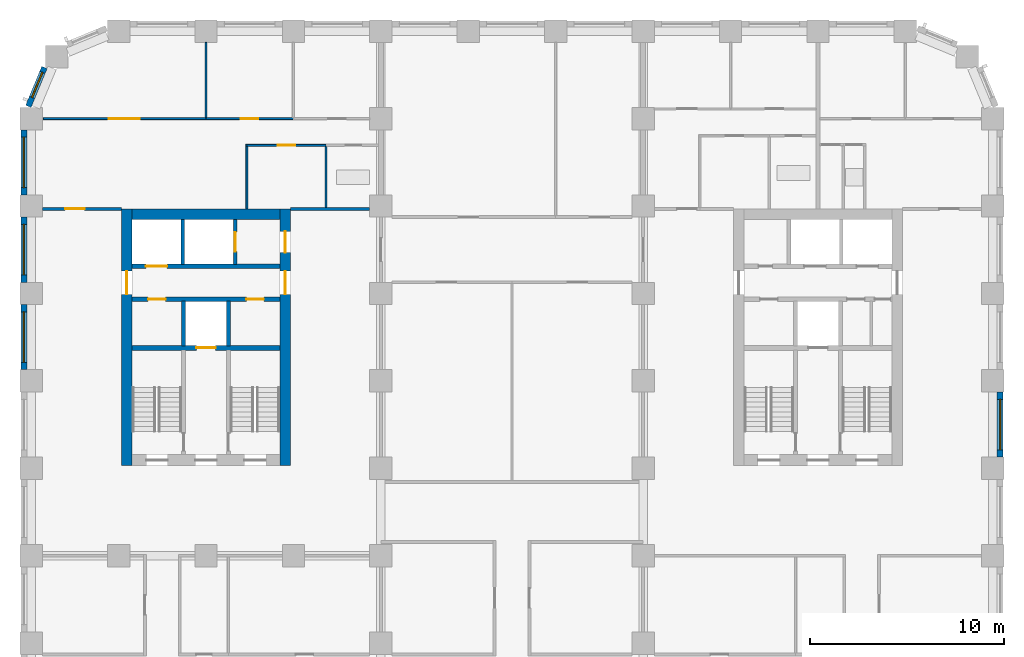
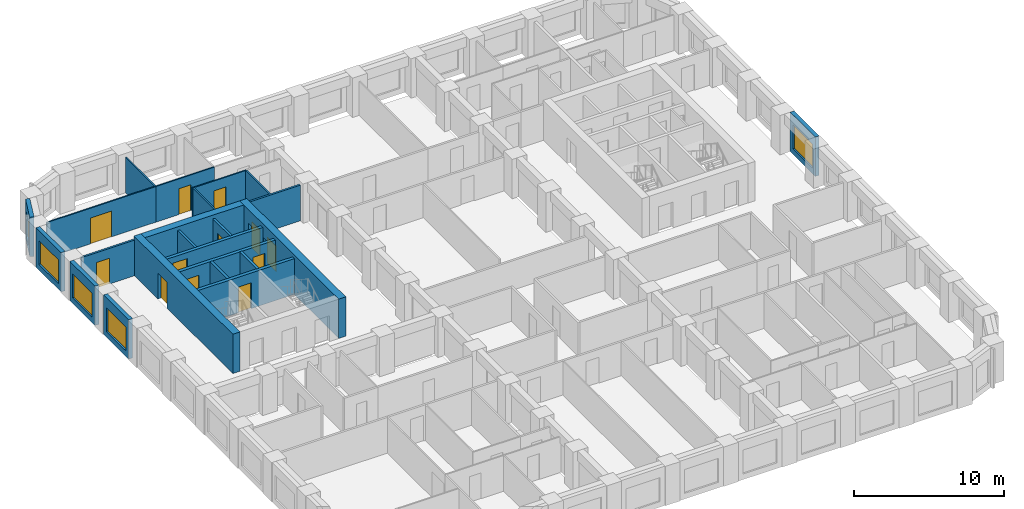
# One storey, part 6 of 12: 23 walls, 12 doors, 5 windows, 17 openings.
"""IFC4 building model written with IfcOpenShell, lengths in metres."""

from ifc_helpers import new_model, si_unit, direction, frame, frame_2d, origin, place, context, subcontext, project, spatial, rectangle, extrude, material, layer, layer_set, type_object, element, fill, save


model = new_model("IFC4")

# Units and contexts
model_context = context("Model", 3, precision=1e-05, world=origin(), true_north=direction((0.0, 1.0)))
body_context = subcontext(model_context, "Body", "Model", "MODEL_VIEW")
ifc_project = project(units=[si_unit("LENGTHUNIT", "METRE"), si_unit("AREAUNIT", "SQUARE_METRE"), si_unit("VOLUMEUNIT", "CUBIC_METRE"), si_unit("PLANEANGLEUNIT", "RADIAN"), si_unit("MASSUNIT", "GRAM", prefix="KILO")], contexts=[model_context])

# Site, building, storey
site_placement = place(None, origin())
site = spatial("IfcSite", under=ifc_project, at=site_placement, CompositionType="ELEMENT")
building_placement = place(site_placement, origin())
building = spatial("IfcBuilding", under=site, at=building_placement, Name="Girih Gate Residences", CompositionType="ELEMENT")
storey_placement = place(building_placement, frame((0.0, 0.0, 118.39990234375)))
storey = spatial("IfcBuildingStorey", under=building, at=storey_placement, Name="L33", CompositionType="ELEMENT", Elevation=118.39990234375)

# Wall, opening, door
ifc_material_1 = material(Name="Gypsum board on steel studs", Category="steel")
ifc_layer_1 = layer(ifc_material_1, 0.14990234375)
ifc_layer_set_1 = layer_set([ifc_layer_1], Name="Compartment wall 150 mm")
wall_type_1 = type_object("IfcWallType", Name="Compartment wall 150 mm", PredefinedType="PARTITIONING", material=ifc_layer_set_1)
wall_1_placement = place(storey_placement, frame((0.574951171875, 40.35009765625, 0.0), z_axis=(0.0, 0.0, 1.0), x_axis=(1.0, 0.0, 0.0)))
wall_1 = element("IfcWall", 1, at=wall_1_placement, inside=storey, type_object=wall_type_1, Name="L33 partition", PredefinedType="PARTITIONING", context=body_context, shape_type="SweptSolid", body=[
    extrude(rectangle(XDim=4.074951171875, YDim=0.14990234375, at=frame_2d((2.03759765625, 0.0))), origin(), (0.0, 0.0, 1.0), 2.900146484375),
])
opening_1_placement = place(wall_1_placement, frame((1.175048828125, 0.0, 0.0)))
opening_1 = element("IfcOpeningElement", 2, at=opening_1_placement, cuts=wall_1, Name="Opening A33-013", PredefinedType="OPENING", context=body_context, shape_type="SweptSolid", body=[
    extrude(rectangle(XDim=1.0, YDim=2.10009765625, at=frame_2d((0.5, 1.050048828125))), frame((0.0, 0.0849609375, 0.0), z_axis=(0.0, -1.0, 0.0), x_axis=(1.0, 0.0, 0.0)), (0.0, 0.0, 1.0), 0.169921875),
])
ifc_material_2 = material(Name="Timber, fire-rated core", Category="wood")
door_type_1 = type_object("IfcDoorType", Name="Flat entrance door 1000x2100 FD30S", OperationType="NOTDEFINED", PredefinedType="DOOR", material=ifc_material_2)
door_1_placement = place(opening_1_placement, origin())
door_1 = element("IfcDoor", 3, at=door_1_placement, inside=storey, type_object=door_type_1, Name="Door A33-013", OperationType="SINGLE_SWING_LEFT", OverallHeight=2.10009765625, OverallWidth=1.0, PredefinedType="DOOR", context=body_context, shape_type="SweptSolid", body=[
    extrude(rectangle(XDim=1.0, YDim=2.10009765625, at=frame_2d((0.5, 1.050048828125))), frame((0.0, 0.02490234375, 0.0), z_axis=(0.0, -1.0, 0.0), x_axis=(1.0, 0.0, 0.0)), (0.0, 0.0, 1.0), 0.050048828125),
])
fill(opening_1, door_1)

# Walls
wall_2_placement = place(storey_placement, frame((13.35009765625, 40.35009765625, 0.0), z_axis=(0.0, 0.0, 1.0), x_axis=(1.0, 0.0, 0.0)))
element("IfcWall", 4, at=wall_2_placement, inside=storey, type_object=wall_type_1, Name="L33 partition", PredefinedType="PARTITIONING", context=body_context, shape_type="SweptSolid", body=[
    extrude(rectangle(XDim=4.074951171875, YDim=0.14990234375, at=frame_2d((2.03759765625, 0.0))), origin(), (0.0, 0.0, 1.0), 2.900146484375),
])
ifc_material_3 = material(Name="Concrete C60/75", Category="concrete")
ifc_layer_2 = layer(ifc_material_3, 0.550048828125)
ifc_layer_set_2 = layer_set([ifc_layer_2], Name="Core wall RC 550 Concrete C60/75")
wall_type_2 = type_object("IfcWallType", Name="Core wall RC 550 Concrete C60/75", PredefinedType="SOLIDWALL", material=ifc_layer_set_2)
wall_3_placement = place(storey_placement, frame((5.199951171875, 40.074951171875, 0.0), z_axis=(0.0, 0.0, 1.0), x_axis=(1.0, 0.0, 0.0)))
element("IfcWall", 5, at=wall_3_placement, inside=storey, type_object=wall_type_2, Name="Core wall W-N L33", PredefinedType="SOLIDWALL", context=body_context, shape_type="SweptSolid", body=[
    extrude(rectangle(XDim=7.60009765625, YDim=0.550048828125, at=frame_2d((3.800048828125, 0.0))), origin(), (0.0, 0.0, 1.0), 3.2001953125),
])

# Wall, opening, door
wall_4_placement = place(storey_placement, frame((4.925048828125, 27.14990234375, 0.0), z_axis=(0.0, 0.0, 1.0), x_axis=(0.0, 1.0, 0.0)))
wall_4 = element("IfcWall", 6, at=wall_4_placement, inside=storey, type_object=wall_type_2, Name="Core wall W-W L33", PredefinedType="SOLIDWALL", context=body_context, shape_type="SweptSolid", body=[
    extrude(rectangle(XDim=13.2001953125, YDim=0.550048828125, at=frame_2d((6.60009765625, 0.0))), origin(), (0.0, 0.0, 1.0), 3.2001953125),
])
opening_2_placement = place(wall_4_placement, frame((8.800048828125, 0.0, 0.0)))
opening_2 = element("IfcOpeningElement", 7, at=opening_2_placement, cuts=wall_4, Name="Opening D-L33-W-012", PredefinedType="OPENING", context=body_context, shape_type="SweptSolid", body=[
    extrude(rectangle(XDim=1.199951171875, YDim=2.10009765625, at=frame_2d((0.60009765625, 1.050048828125))), frame((0.0, 0.284912109375, 0.0), z_axis=(0.0, -1.0, 0.0), x_axis=(1.0, 0.0, 0.0)), (0.0, 0.0, 1.0), 0.570068359375),
])
ifc_material_4 = material(Name="Painted steel, fire-resisting", Category="steel")
door_type_2 = type_object("IfcDoorType", Name="Fire door 1200x2100", OperationType="SINGLE_SWING_LEFT", PredefinedType="DOOR", material=ifc_material_4)
door_2_placement = place(opening_2_placement, origin())
door_2 = element("IfcDoor", 8, at=door_2_placement, inside=storey, type_object=door_type_2, Name="L33 W core door ll-w", OperationType="SINGLE_SWING_LEFT", OverallHeight=2.10009765625, OverallWidth=1.199951171875, PredefinedType="DOOR", context=body_context, shape_type="SweptSolid", body=[
    extrude(rectangle(XDim=1.199951171875, YDim=2.10009765625, at=frame_2d((0.60009765625, 1.050048828125))), frame((0.0, 0.02490234375, 0.0), z_axis=(0.0, -1.0, 0.0), x_axis=(1.0, 0.0, 0.0)), (0.0, 0.0, 1.0), 0.050048828125),
])
fill(opening_2, door_2)

# Wall, openings, doors
wall_5_placement = place(storey_placement, frame((13.074951171875, 27.14990234375, 0.0), z_axis=(0.0, 0.0, 1.0), x_axis=(0.0, 1.0, 0.0)))
wall_5 = element("IfcWall", 9, at=wall_5_placement, inside=storey, type_object=wall_type_2, Name="Core wall W-E L33", PredefinedType="SOLIDWALL", context=body_context, shape_type="SweptSolid", body=[
    extrude(rectangle(XDim=13.2001953125, YDim=0.550048828125, at=frame_2d((6.60009765625, 0.0))), origin(), (0.0, 0.0, 1.0), 3.2001953125),
])
opening_3_placement = place(wall_5_placement, frame((10.949951171875, 0.0, 0.0)))
opening_3 = element("IfcOpeningElement", 10, at=opening_3_placement, cuts=wall_5, Name="Opening D-L33-W-011", PredefinedType="OPENING", context=body_context, shape_type="SweptSolid", body=[
    extrude(rectangle(XDim=1.10009765625, YDim=2.10009765625, at=frame_2d((0.550048828125, 1.050048828125))), frame((0.0, 0.284912109375, 0.0), z_axis=(0.0, -1.0, 0.0), x_axis=(1.0, 0.0, 0.0)), (0.0, 0.0, 1.0), 0.570068359375),
])
opening_4_placement = place(wall_5_placement, frame((8.800048828125, 0.0, 0.0)))
opening_4 = element("IfcOpeningElement", 11, at=opening_4_placement, cuts=wall_5, Name="Opening D-L33-W-013", PredefinedType="OPENING", context=body_context, shape_type="SweptSolid", body=[
    extrude(rectangle(XDim=1.199951171875, YDim=2.10009765625, at=frame_2d((0.60009765625, 1.050048828125))), frame((0.0, 0.284912109375, 0.0), z_axis=(0.0, -1.0, 0.0), x_axis=(1.0, 0.0, 0.0)), (0.0, 0.0, 1.0), 0.570068359375),
])
door_type_3 = type_object("IfcDoorType", Name="Fire door 1100x2100", OperationType="SINGLE_SWING_LEFT", PredefinedType="DOOR", material=ifc_material_4)
door_3_placement = place(opening_3_placement, origin())
door_3 = element("IfcDoor", 12, at=door_3_placement, inside=storey, type_object=door_type_3, Name="L33 W core door ffl2-e", OperationType="SINGLE_SWING_LEFT", OverallHeight=2.10009765625, OverallWidth=1.10009765625, PredefinedType="DOOR", context=body_context, shape_type="SweptSolid", body=[
    extrude(rectangle(XDim=1.10009765625, YDim=2.10009765625, at=frame_2d((0.550048828125, 1.050048828125))), frame((0.0, 0.02490234375, 0.0), z_axis=(0.0, -1.0, 0.0), x_axis=(1.0, 0.0, 0.0)), (0.0, 0.0, 1.0), 0.050048828125),
])
fill(opening_3, door_3)
door_4_placement = place(opening_4_placement, origin())
door_4 = element("IfcDoor", 13, at=door_4_placement, inside=storey, type_object=door_type_2, Name="L33 W core door ll-e", OperationType="SINGLE_SWING_LEFT", OverallHeight=2.10009765625, OverallWidth=1.199951171875, PredefinedType="DOOR", context=body_context, shape_type="SweptSolid", body=[
    extrude(rectangle(XDim=1.199951171875, YDim=2.10009765625, at=frame_2d((0.60009765625, 1.050048828125))), frame((0.0, 0.02490234375, 0.0), z_axis=(0.0, -1.0, 0.0), x_axis=(1.0, 0.0, 0.0)), (0.0, 0.0, 1.0), 0.050048828125),
])
fill(opening_4, door_4)

# Wall, opening, door
ifc_material_5 = material(Name="Concrete C40/50", Category="concrete")
ifc_layer_3 = layer(ifc_material_5, 0.25)
ifc_layer_set_3 = layer_set([ifc_layer_3], Name="Lift shaft wall 250")
wall_type_3 = type_object("IfcWallType", Name="Lift shaft wall 250", PredefinedType="SOLIDWALL", material=ifc_layer_set_3)
wall_6_placement = place(storey_placement, frame((5.199951171875, 33.199951171875, 0.0), z_axis=(0.0, 0.0, 1.0), x_axis=(1.0, 0.0, 0.0)))
wall_6 = element("IfcWall", 14, at=wall_6_placement, inside=storey, type_object=wall_type_3, Name="L33 W core wall H1", PredefinedType="SOLIDWALL", context=body_context, shape_type="SweptSolid", body=[
    extrude(rectangle(XDim=7.60009765625, YDim=0.25, at=frame_2d((3.800048828125, 0.0))), origin(), (0.0, 0.0, 1.0), 2.900146484375),
])
opening_5_placement = place(wall_6_placement, frame((3.300048828125, 0.0, 0.0)))
opening_5 = element("IfcOpeningElement", 15, at=opening_5_placement, cuts=wall_6, Name="Opening D-L33-W-005", PredefinedType="OPENING", context=body_context, shape_type="SweptSolid", body=[
    extrude(rectangle(XDim=1.0, YDim=2.10009765625, at=frame_2d((0.5, 1.050048828125))), frame((0.0, 0.135009765625, 0.0), z_axis=(0.0, -1.0, 0.0), x_axis=(1.0, 0.0, 0.0)), (0.0, 0.0, 1.0), 0.27001953125),
])
ifc_material_6 = material(Name="Stainless steel, fire-resisting", Category="steel")
door_type_4 = type_object("IfcDoorType", Name="Firefighting lift landing door 1000x2100", OperationType="SLIDING_TO_LEFT", PredefinedType="DOOR", material=ifc_material_6)
door_5_placement = place(opening_5_placement, origin())
door_5 = element("IfcDoor", 16, at=door_5_placement, inside=storey, type_object=door_type_4, Name="L33 lift FF-W landing door", OperationType="SLIDING_TO_LEFT", OverallHeight=2.10009765625, OverallWidth=1.0, PredefinedType="DOOR", context=body_context, shape_type="SweptSolid", body=[
    extrude(rectangle(XDim=1.0, YDim=2.10009765625, at=frame_2d((0.5, 1.050048828125))), frame((0.0, 0.02490234375, 0.0), z_axis=(0.0, -1.0, 0.0), x_axis=(1.0, 0.0, 0.0)), (0.0, 0.0, 1.0), 0.050048828125),
])
fill(opening_5, door_5)

# Wall, openings, doors
wall_7_placement = place(storey_placement, frame((5.199951171875, 35.699951171875, 0.0), z_axis=(0.0, 0.0, 1.0), x_axis=(1.0, 0.0, 0.0)))
wall_7 = element("IfcWall", 17, at=wall_7_placement, inside=storey, type_object=wall_type_3, Name="L33 W core wall H2", PredefinedType="SOLIDWALL", context=body_context, shape_type="SweptSolid", body=[
    extrude(rectangle(XDim=7.60009765625, YDim=0.25, at=frame_2d((3.800048828125, 0.0))), origin(), (0.0, 0.0, 1.0), 2.900146484375),
])
opening_6_placement = place(wall_7_placement, frame((0.824951171875, 0.0, 0.0)))
opening_6 = element("IfcOpeningElement", 18, at=opening_6_placement, cuts=wall_7, Name="Opening D-L33-W-006", PredefinedType="OPENING", context=body_context, shape_type="SweptSolid", body=[
    extrude(rectangle(XDim=0.89990234375, YDim=2.10009765625, at=frame_2d((0.449951171875, 1.050048828125))), frame((0.0, 0.135009765625, 0.0), z_axis=(0.0, -1.0, 0.0), x_axis=(1.0, 0.0, 0.0)), (0.0, 0.0, 1.0), 0.27001953125),
])
opening_7_placement = place(wall_7_placement, frame((5.875, 0.0, 0.0)))
opening_7 = element("IfcOpeningElement", 19, at=opening_7_placement, cuts=wall_7, Name="Opening D-L33-W-007", PredefinedType="OPENING", context=body_context, shape_type="SweptSolid", body=[
    extrude(rectangle(XDim=0.89990234375, YDim=2.10009765625, at=frame_2d((0.449951171875, 1.050048828125))), frame((0.0, 0.135009765625, 0.0), z_axis=(0.0, -1.0, 0.0), x_axis=(1.0, 0.0, 0.0)), (0.0, 0.0, 1.0), 0.27001953125),
])
door_type_5 = type_object("IfcDoorType", Name="Fire door 900x2100", OperationType="SINGLE_SWING_LEFT", PredefinedType="DOOR", material=ifc_material_4)
door_6_placement = place(opening_6_placement, origin())
door_6 = element("IfcDoor", 20, at=door_6_placement, inside=storey, type_object=door_type_5, Name="L33 W store door", OperationType="SINGLE_SWING_LEFT", OverallHeight=2.10009765625, OverallWidth=0.89990234375, PredefinedType="DOOR", context=body_context, shape_type="SweptSolid", body=[
    extrude(rectangle(XDim=0.89990234375, YDim=2.10009765625, at=frame_2d((0.449951171875, 1.050048828125))), frame((0.0, 0.02490234375, 0.0), z_axis=(0.0, -1.0, 0.0), x_axis=(1.0, 0.0, 0.0)), (0.0, 0.0, 1.0), 0.050048828125),
])
fill(opening_6, door_6)
door_7_placement = place(opening_7_placement, origin())
door_7 = element("IfcDoor", 21, at=door_7_placement, inside=storey, type_object=door_type_5, Name="L33 W refuse store door", OperationType="SINGLE_SWING_LEFT", OverallHeight=2.10009765625, OverallWidth=0.89990234375, PredefinedType="DOOR", context=body_context, shape_type="SweptSolid", body=[
    extrude(rectangle(XDim=0.89990234375, YDim=2.10009765625, at=frame_2d((0.449951171875, 1.050048828125))), frame((0.0, 0.02490234375, 0.0), z_axis=(0.0, -1.0, 0.0), x_axis=(1.0, 0.0, 0.0)), (0.0, 0.0, 1.0), 0.050048828125),
])
fill(opening_7, door_7)

# Wall, opening, door
wall_8_placement = place(storey_placement, frame((5.199951171875, 37.39990234375, 0.0), z_axis=(0.0, 0.0, 1.0), x_axis=(1.0, 0.0, 0.0)))
wall_8 = element("IfcWall", 22, at=wall_8_placement, inside=storey, type_object=wall_type_3, Name="L33 W core wall H3", PredefinedType="SOLIDWALL", context=body_context, shape_type="SweptSolid", body=[
    extrude(rectangle(XDim=7.60009765625, YDim=0.25, at=frame_2d((3.800048828125, 0.0))), origin(), (0.0, 0.0, 1.0), 2.900146484375),
])
opening_8_placement = place(wall_8_placement, frame((0.699951171875, 0.0, 0.0)))
opening_8 = element("IfcOpeningElement", 23, at=opening_8_placement, cuts=wall_8, Name="Opening D-L33-W-003", PredefinedType="OPENING", context=body_context, shape_type="SweptSolid", body=[
    extrude(rectangle(XDim=1.10009765625, YDim=2.39990234375, at=frame_2d((0.550048828125, 1.199951171875))), frame((0.0, 0.135009765625, 0.0), z_axis=(0.0, -1.0, 0.0), x_axis=(1.0, 0.0, 0.0)), (0.0, 0.0, 1.0), 0.27001953125),
])
ifc_material_7 = material(Name="Stainless steel", Category="steel")
door_type_6 = type_object("IfcDoorType", Name="Lift landing door 1100x2400", OperationType="SLIDING_TO_LEFT", PredefinedType="DOOR", material=ifc_material_7)
door_8_placement = place(opening_8_placement, origin())
door_8 = element("IfcDoor", 24, at=door_8_placement, inside=storey, type_object=door_type_6, Name="L33 lift LR-W1 landing door", OperationType="SLIDING_TO_LEFT", OverallHeight=2.39990234375, OverallWidth=1.10009765625, PredefinedType="DOOR", context=body_context, shape_type="SweptSolid", body=[
    extrude(rectangle(XDim=1.10009765625, YDim=2.39990234375, at=frame_2d((0.550048828125, 1.199951171875))), frame((0.0, 0.02490234375, 0.0), z_axis=(0.0, -1.0, 0.0), x_axis=(1.0, 0.0, 0.0)), (0.0, 0.0, 1.0), 0.050048828125),
])
fill(opening_8, door_8)

ifc_layer_4 = layer(ifc_material_1, 0.10009765625)
ifc_layer_set_4 = layer_set([ifc_layer_4], Name="Partition 100 mm")
wall_type_4 = type_object("IfcWallType", Name="Partition 100 mm", PredefinedType="PARTITIONING", material=ifc_layer_set_4)
wall_9_placement = place(storey_placement, frame((9.0, 45.0, 0.0), z_axis=(0.0, 0.0, 1.0), x_axis=(1.0, 0.0, 0.0)))
wall_9 = element("IfcWall", 25, at=wall_9_placement, inside=storey, type_object=wall_type_4, Name="L33 partition", PredefinedType="PARTITIONING", context=body_context, shape_type="SweptSolid", body=[
    extrude(rectangle(XDim=4.5, YDim=0.10009765625, at=frame_2d((2.25, 0.0))), origin(), (0.0, 0.0, 1.0), 2.900146484375),
])
opening_9_placement = place(wall_9_placement, frame((1.800048828125, 0.0, 0.0)))
opening_9 = element("IfcOpeningElement", 26, at=opening_9_placement, cuts=wall_9, Name="Opening A33-009", PredefinedType="OPENING", context=body_context, shape_type="SweptSolid", body=[
    extrude(rectangle(XDim=0.89990234375, YDim=2.10009765625, at=frame_2d((0.449951171875, 1.050048828125))), frame((0.0, 0.06005859375, 0.0), z_axis=(0.0, -1.0, 0.0), x_axis=(1.0, 0.0, 0.0)), (0.0, 0.0, 1.0), 0.1201171875),
])
ifc_material_8 = material(Name="Timber", Category="wood")
door_type_7 = type_object("IfcDoorType", Name="Bedroom door 900x2100", OperationType="NOTDEFINED", PredefinedType="DOOR", material=ifc_material_8)
door_9_placement = place(opening_9_placement, origin())
door_9 = element("IfcDoor", 27, at=door_9_placement, inside=storey, type_object=door_type_7, Name="Door A33-009", OperationType="SINGLE_SWING_LEFT", OverallHeight=2.10009765625, OverallWidth=0.89990234375, PredefinedType="DOOR", context=body_context, shape_type="SweptSolid", body=[
    extrude(rectangle(XDim=0.89990234375, YDim=2.10009765625, at=frame_2d((0.449951171875, 1.050048828125))), frame((0.0, 0.02490234375, 0.0), z_axis=(0.0, -1.0, 0.0), x_axis=(1.0, 0.0, 0.0)), (0.0, 0.0, 1.0), 0.050048828125),
])
fill(opening_9, door_9)

# Wall
wall_10_placement = place(storey_placement, frame((9.0, 45.050048828125, 0.0), z_axis=(0.0, 0.0, 1.0), x_axis=(0.0, 1.0, 0.0)))
element("IfcWall", 28, at=wall_10_placement, inside=storey, type_object=wall_type_4, Name="L33 partition", PredefinedType="PARTITIONING", context=body_context, shape_type="SweptSolid", body=[
    extrude(rectangle(XDim=3.875, YDim=0.10009765625, at=frame_2d((1.9375, 0.0))), origin(), (0.0, 0.0, 1.0), 2.900146484375),
])

# Wall, opening, door
wall_11_placement = place(storey_placement, frame((15.1748046875, 43.6201171875, 0.0), z_axis=(0.0, 0.0, 1.0), x_axis=(-1.0, 0.0, 0.0)))
wall_11 = element("IfcWall", 29, at=wall_11_placement, inside=storey, type_object=wall_type_4, Name="L33 partition", PredefinedType="PARTITIONING", context=body_context, shape_type="SweptSolid", body=[
    extrude(rectangle(XDim=4.124755859375, YDim=0.10009765625, at=frame_2d((2.0625, 0.0))), origin(), (0.0, 0.0, 1.0), 2.900146484375),
])
opening_10_placement = place(wall_11_placement, frame((1.58740234375, 0.0, 0.0)))
opening_10 = element("IfcOpeningElement", 30, at=opening_10_placement, cuts=wall_11, Name="Opening A33-011", PredefinedType="OPENING", context=body_context, shape_type="SweptSolid", body=[
    extrude(rectangle(XDim=0.89990234375, YDim=2.10009765625, at=frame_2d((0.449951171875, 1.050048828125))), frame((0.0, 0.06005859375, 0.0), z_axis=(0.0, -1.0, 0.0), x_axis=(1.0, 0.0, 0.0)), (0.0, 0.0, 1.0), 0.1201171875),
])
door_type_8 = type_object("IfcDoorType", Name="Kitchen door 900x2100", OperationType="NOTDEFINED", PredefinedType="DOOR", material=ifc_material_8)
door_10_placement = place(opening_10_placement, origin())
door_10 = element("IfcDoor", 31, at=door_10_placement, inside=storey, type_object=door_type_8, Name="Door A33-011", OperationType="SINGLE_SWING_LEFT", OverallHeight=2.10009765625, OverallWidth=0.89990234375, PredefinedType="DOOR", context=body_context, shape_type="SweptSolid", body=[
    extrude(rectangle(XDim=0.89990234375, YDim=2.10009765625, at=frame_2d((0.449951171875, 1.050048828125))), frame((0.0, 0.02490234375, 0.0), z_axis=(0.0, -1.0, 0.0), x_axis=(1.0, 0.0, 0.0)), (0.0, 0.0, 1.0), 0.050048828125),
])
fill(opening_10, door_10)

# Wall
wall_12_placement = place(storey_placement, frame((11.10009765625, 40.35009765625, 0.0), z_axis=(0.0, 0.0, 1.0), x_axis=(0.0, 1.0, 0.0)))
element("IfcWall", 32, at=wall_12_placement, inside=storey, type_object=wall_type_4, Name="L33 partition", PredefinedType="PARTITIONING", context=body_context, shape_type="SweptSolid", body=[
    extrude(rectangle(XDim=3.219970703125, YDim=0.10009765625, at=frame_2d((1.60986328125, 0.0))), origin(), (0.0, 0.0, 1.0), 2.900146484375),
])

# Wall, opening, door
wall_13_placement = place(storey_placement, frame((0.622314453125, 45.0, 0.0), z_axis=(0.0, 0.0, 1.0), x_axis=(1.0, 0.0, 0.0)))
wall_13 = element("IfcWall", 33, at=wall_13_placement, inside=storey, type_object=wall_type_4, Name="L33 partition", PredefinedType="PARTITIONING", context=body_context, shape_type="SweptSolid", body=[
    extrude(rectangle(XDim=8.377685546875, YDim=0.10009765625, at=frame_2d((4.18896484375, 0.0))), origin(), (0.0, 0.0, 1.0), 2.900146484375),
])
opening_11_placement = place(wall_13_placement, frame((3.364990234375, 0.0, 0.0)))
opening_11 = element("IfcOpeningElement", 34, at=opening_11_placement, cuts=wall_13, Name="Opening A33-012", PredefinedType="OPENING", context=body_context, shape_type="SweptSolid", body=[
    extrude(rectangle(XDim=1.60009765625, YDim=2.10009765625, at=frame_2d((0.800048828125, 1.050048828125))), frame((0.0, 0.06005859375, 0.0), z_axis=(0.0, -1.0, 0.0), x_axis=(1.0, 0.0, 0.0)), (0.0, 0.0, 1.0), 0.1201171875),
])
door_type_9 = type_object("IfcDoorType", Name="Double leaf door 1600x2100", OperationType="NOTDEFINED", PredefinedType="DOOR", material=ifc_material_8)
door_11_placement = place(opening_11_placement, origin())
door_11 = element("IfcDoor", 35, at=door_11_placement, inside=storey, type_object=door_type_9, Name="Door A33-012", OperationType="SINGLE_SWING_LEFT", OverallHeight=2.10009765625, OverallWidth=1.60009765625, PredefinedType="DOOR", context=body_context, shape_type="SweptSolid", body=[
    extrude(rectangle(XDim=1.60009765625, YDim=2.10009765625, at=frame_2d((0.800048828125, 1.050048828125))), frame((0.0, 0.02490234375, 0.0), z_axis=(0.0, -1.0, 0.0), x_axis=(1.0, 0.0, 0.0)), (0.0, 0.0, 1.0), 0.050048828125),
])
fill(opening_11, door_11)

# Wall, opening, window
ifc_material_9 = material(Name="Precast concrete C50/60", Category="concrete")
ifc_layer_5 = layer(ifc_material_9, 0.080078125, Name="Outer leaf")
ifc_material_10 = material(Name="Rigid PIR insulation")
ifc_layer_6 = layer(ifc_material_10, 0.14990234375, Name="Insulation")
ifc_material_11 = material(Name="Precast concrete C40/50", Category="concrete")
ifc_layer_7 = layer(ifc_material_11, 0.070068359375, Name="Inner leaf")
ifc_layer_set_5 = layer_set([ifc_layer_5, ifc_layer_6, ifc_layer_7], Name="Precast concrete C50/60 external wall 300")
wall_type_5 = type_object("IfcWallType", Name="Precast concrete C50/60 external wall 300", PredefinedType="SOLIDWALL", material=ifc_layer_set_5)
wall_14_placement = place(storey_placement, frame((49.875, 30.925048828125, 0.0), z_axis=(0.0, 0.0, 1.0), x_axis=(0.0, -1.0, 0.0)))
wall_14 = element("IfcWall", 36, at=wall_14_placement, inside=storey, type_object=wall_type_5, Name="External wall E0495_0045.5", PredefinedType="SOLIDWALL", context=body_context, shape_type="SweptSolid", body=[
    extrude(rectangle(XDim=3.35009765625, YDim=0.300048828125, at=frame_2d((1.675048828125, 0.0))), origin(), (0.0, 0.0, 1.0), 3.2001953125),
])
opening_12_placement = place(wall_14_placement, frame((0.375, 0.0, 0.449951171875)))
opening_12 = element("IfcOpeningElement", 37, at=opening_12_placement, cuts=wall_14, Name="Opening W-1A", PredefinedType="OPENING", context=body_context, shape_type="SweptSolid", body=[
    extrude(rectangle(XDim=2.60009765625, YDim=1.949951171875, at=frame_2d((1.300048828125, 0.97509765625))), frame((0.0, 0.159912109375, 0.0), z_axis=(0.0, -1.0, 0.0), x_axis=(1.0, 0.0, 0.0)), (0.0, 0.0, 1.0), 0.320068359375),
])
ifc_material_12 = material(Name="Double glazing in aluminium frame", Category="aluminium")
window_type_1 = type_object("IfcWindowType", Name="Window W-1A 2600x1950", PartitioningType="SINGLE_PANEL", PredefinedType="WINDOW", material=ifc_material_12)
window_1_placement = place(opening_12_placement, origin())
window_1 = element("IfcWindow", 38, at=window_1_placement, inside=storey, type_object=window_type_1, Name="Window W-1A E0495_0045.5", OverallHeight=1.949951171875, OverallWidth=2.60009765625, PartitioningType="SINGLE_PANEL", PredefinedType="WINDOW", context=body_context, shape_type="SweptSolid", body=[
    extrude(rectangle(XDim=2.60009765625, YDim=1.949951171875, at=frame_2d((1.300048828125, 0.97509765625))), frame((0.0, 0.030029296875, 0.0), z_axis=(0.0, -1.0, 0.0), x_axis=(1.0, 0.0, 0.0)), (0.0, 0.0, 1.0), 0.06005859375),
])
fill(opening_12, window_1)

wall_15_placement = place(storey_placement, frame((-0.14404296875, 45.63232421875, 0.0), z_axis=(0.0, 0.0, 1.0), x_axis=(0.382723818695, 0.923862802911, 0.0)))
wall_15 = element("IfcWall", 39, at=wall_15_placement, inside=storey, type_object=wall_type_5, Name="External wall NW0013_0482.0", PredefinedType="SOLIDWALL", context=body_context, shape_type="SweptSolid", body=[
    extrude(rectangle(XDim=2.163818359375, YDim=0.300048828125, at=frame_2d((1.08203125, 0.0))), origin(), (0.0, 0.0, 1.0), 3.2001953125),
])
opening_13_placement = place(wall_15_placement, frame((0.492919921875, 0.0, 0.449951171875)))
opening_13 = element("IfcOpeningElement", 40, at=opening_13_placement, cuts=wall_15, Name="Opening W-2D", PredefinedType="OPENING", context=body_context, shape_type="SweptSolid", body=[
    extrude(rectangle(XDim=1.39990234375, YDim=1.949951171875, at=frame_2d((0.699951171875, 0.97509765625))), frame((0.0, 0.159912109375, 0.0), z_axis=(0.0, -1.0, 0.0), x_axis=(1.0, 0.0, 0.0)), (0.0, 0.0, 1.0), 0.320068359375),
])
window_type_2 = type_object("IfcWindowType", Name="Window W-2D 1400x1950", PartitioningType="SINGLE_PANEL", PredefinedType="WINDOW", material=ifc_material_12)
window_2_placement = place(opening_13_placement, origin())
window_2 = element("IfcWindow", 41, at=window_2_placement, inside=storey, type_object=window_type_2, Name="Window W-2D NW0013_0482.0", OverallHeight=1.949951171875, OverallWidth=1.39990234375, PartitioningType="SINGLE_PANEL", PredefinedType="WINDOW", context=body_context, shape_type="SweptSolid", body=[
    extrude(rectangle(XDim=1.39990234375, YDim=1.949951171875, at=frame_2d((0.699951171875, 0.97509765625))), frame((0.0, 0.030029296875, 0.0), z_axis=(0.0, -1.0, 0.0), x_axis=(1.0, 0.0, 0.0)), (0.0, 0.0, 1.0), 0.06005859375),
])
fill(opening_13, window_2)

wall_16_placement = place(storey_placement, frame((-0.375, 41.074951171875, 0.0), z_axis=(0.0, 0.0, 1.0), x_axis=(0.0, 1.0, 0.0)))
wall_16 = element("IfcWall", 42, at=wall_16_placement, inside=storey, type_object=wall_type_5, Name="External wall W0000_0450.0", PredefinedType="SOLIDWALL", context=body_context, shape_type="SweptSolid", body=[
    extrude(rectangle(XDim=3.35009765625, YDim=0.300048828125, at=frame_2d((1.675048828125, 0.0))), origin(), (0.0, 0.0, 1.0), 3.2001953125),
])
opening_14_placement = place(wall_16_placement, frame((0.375, 0.0, 0.449951171875)))
opening_14 = element("IfcOpeningElement", 43, at=opening_14_placement, cuts=wall_16, Name="Opening W-1A", PredefinedType="OPENING", context=body_context, shape_type="SweptSolid", body=[
    extrude(rectangle(XDim=2.60009765625, YDim=1.949951171875, at=frame_2d((1.300048828125, 0.97509765625))), frame((0.0, 0.159912109375, 0.0), z_axis=(0.0, -1.0, 0.0), x_axis=(1.0, 0.0, 0.0)), (0.0, 0.0, 1.0), 0.320068359375),
])
window_3_placement = place(opening_14_placement, origin())
window_3 = element("IfcWindow", 44, at=window_3_placement, inside=storey, type_object=window_type_1, Name="Window W-1A W0000_0450.0", OverallHeight=1.949951171875, OverallWidth=2.60009765625, PartitioningType="SINGLE_PANEL", PredefinedType="WINDOW", context=body_context, shape_type="SweptSolid", body=[
    extrude(rectangle(XDim=2.60009765625, YDim=1.949951171875, at=frame_2d((1.300048828125, 0.97509765625))), frame((0.0, 0.030029296875, 0.0), z_axis=(0.0, -1.0, 0.0), x_axis=(1.0, 0.0, 0.0)), (0.0, 0.0, 1.0), 0.06005859375),
])
fill(opening_14, window_3)

wall_17_placement = place(storey_placement, frame((-0.375, 36.574951171875, 0.0), z_axis=(0.0, 0.0, 1.0), x_axis=(0.0, 1.0, 0.0)))
wall_17 = element("IfcWall", 45, at=wall_17_placement, inside=storey, type_object=wall_type_5, Name="External wall W0000_0450.1", PredefinedType="SOLIDWALL", context=body_context, shape_type="SweptSolid", body=[
    extrude(rectangle(XDim=3.35009765625, YDim=0.300048828125, at=frame_2d((1.675048828125, 0.0))), origin(), (0.0, 0.0, 1.0), 3.2001953125),
])
opening_15_placement = place(wall_17_placement, frame((0.375, 0.0, 0.449951171875)))
opening_15 = element("IfcOpeningElement", 46, at=opening_15_placement, cuts=wall_17, Name="Opening W-1A", PredefinedType="OPENING", context=body_context, shape_type="SweptSolid", body=[
    extrude(rectangle(XDim=2.60009765625, YDim=1.949951171875, at=frame_2d((1.300048828125, 0.97509765625))), frame((0.0, 0.159912109375, 0.0), z_axis=(0.0, -1.0, 0.0), x_axis=(1.0, 0.0, 0.0)), (0.0, 0.0, 1.0), 0.320068359375),
])
window_4_placement = place(opening_15_placement, origin())
window_4 = element("IfcWindow", 47, at=window_4_placement, inside=storey, type_object=window_type_1, Name="Window W-1A W0000_0450.1", OverallHeight=1.949951171875, OverallWidth=2.60009765625, PartitioningType="SINGLE_PANEL", PredefinedType="WINDOW", context=body_context, shape_type="SweptSolid", body=[
    extrude(rectangle(XDim=2.60009765625, YDim=1.949951171875, at=frame_2d((1.300048828125, 0.97509765625))), frame((0.0, 0.030029296875, 0.0), z_axis=(0.0, -1.0, 0.0), x_axis=(1.0, 0.0, 0.0)), (0.0, 0.0, 1.0), 0.06005859375),
])
fill(opening_15, window_4)

wall_18_placement = place(storey_placement, frame((-0.375, 32.074951171875, 0.0), z_axis=(0.0, 0.0, 1.0), x_axis=(0.0, 1.0, 0.0)))
wall_18 = element("IfcWall", 48, at=wall_18_placement, inside=storey, type_object=wall_type_5, Name="External wall W0000_0450.2", PredefinedType="SOLIDWALL", context=body_context, shape_type="SweptSolid", body=[
    extrude(rectangle(XDim=3.35009765625, YDim=0.300048828125, at=frame_2d((1.675048828125, 0.0))), origin(), (0.0, 0.0, 1.0), 3.2001953125),
])
opening_16_placement = place(wall_18_placement, frame((0.375, 0.0, 0.449951171875)))
opening_16 = element("IfcOpeningElement", 49, at=opening_16_placement, cuts=wall_18, Name="Opening W-1A", PredefinedType="OPENING", context=body_context, shape_type="SweptSolid", body=[
    extrude(rectangle(XDim=2.60009765625, YDim=1.949951171875, at=frame_2d((1.300048828125, 0.97509765625))), frame((0.0, 0.159912109375, 0.0), z_axis=(0.0, -1.0, 0.0), x_axis=(1.0, 0.0, 0.0)), (0.0, 0.0, 1.0), 0.320068359375),
])
window_5_placement = place(opening_16_placement, origin())
window_5 = element("IfcWindow", 50, at=window_5_placement, inside=storey, type_object=window_type_1, Name="Window W-1A W0000_0450.2", OverallHeight=1.949951171875, OverallWidth=2.60009765625, PartitioningType="SINGLE_PANEL", PredefinedType="WINDOW", context=body_context, shape_type="SweptSolid", body=[
    extrude(rectangle(XDim=2.60009765625, YDim=1.949951171875, at=frame_2d((1.300048828125, 0.97509765625))), frame((0.0, 0.030029296875, 0.0), z_axis=(0.0, -1.0, 0.0), x_axis=(1.0, 0.0, 0.0)), (0.0, 0.0, 1.0), 0.06005859375),
])
fill(opening_16, window_5)

# Wall
ifc_layer_8 = layer(ifc_material_5, 0.175048828125)
ifc_layer_set_6 = layer_set([ifc_layer_8], Name="Riser shaft wall 175")
wall_type_6 = type_object("IfcWallType", Name="Riser shaft wall 175", PredefinedType="SOLIDWALL", material=ifc_layer_set_6)
wall_19_placement = place(storey_placement, frame((7.800048828125, 37.5, 0.0), z_axis=(0.0, 0.0, 1.0), x_axis=(0.0, 1.0, 0.0)))
element("IfcWall", 51, at=wall_19_placement, inside=storey, type_object=wall_type_6, Name="L33 W core wall V1c", PredefinedType="SOLIDWALL", context=body_context, shape_type="SweptSolid", body=[
    extrude(rectangle(XDim=2.300048828125, YDim=0.175048828125, at=frame_2d((1.14990234375, 0.0))), origin(), (0.0, 0.0, 1.0), 2.900146484375),
])

# Wall, opening, door
wall_20_placement = place(storey_placement, frame((10.5, 37.5, 0.0), z_axis=(0.0, 0.0, 1.0), x_axis=(0.0, 1.0, 0.0)))
wall_20 = element("IfcWall", 52, at=wall_20_placement, inside=storey, type_object=wall_type_6, Name="L33 W core wall V2c", PredefinedType="SOLIDWALL", context=body_context, shape_type="SweptSolid", body=[
    extrude(rectangle(XDim=2.300048828125, YDim=0.175048828125, at=frame_2d((1.14990234375, 0.0))), origin(), (0.0, 0.0, 1.0), 2.900146484375),
])
opening_17_placement = place(wall_20_placement, frame((0.64990234375, 0.0, 0.0)))
opening_17 = element("IfcOpeningElement", 53, at=opening_17_placement, cuts=wall_20, Name="Opening D-L33-W-004", PredefinedType="OPENING", context=body_context, shape_type="SweptSolid", body=[
    extrude(rectangle(XDim=1.0, YDim=2.10009765625, at=frame_2d((0.5, 1.050048828125))), frame((0.0, 0.097412109375, 0.0), z_axis=(0.0, -1.0, 0.0), x_axis=(1.0, 0.0, 0.0)), (0.0, 0.0, 1.0), 0.195068359375),
])
door_12_placement = place(opening_17_placement, origin())
door_12 = element("IfcDoor", 54, at=door_12_placement, inside=storey, type_object=door_type_4, Name="L33 lift FF-W2 landing door", OperationType="SLIDING_TO_LEFT", OverallHeight=2.10009765625, OverallWidth=1.0, PredefinedType="DOOR", context=body_context, shape_type="SweptSolid", body=[
    extrude(rectangle(XDim=1.0, YDim=2.10009765625, at=frame_2d((0.5, 1.050048828125))), frame((0.0, 0.02490234375, 0.0), z_axis=(0.0, -1.0, 0.0), x_axis=(1.0, 0.0, 0.0)), (0.0, 0.0, 1.0), 0.050048828125),
])
fill(opening_17, door_12)

# Walls
ifc_layer_9 = layer(ifc_material_5, 0.199951171875)
ifc_layer_set_7 = layer_set([ifc_layer_9], Name="Shaft wall 200")
wall_type_7 = type_object("IfcWallType", Name="Shaft wall 200", PredefinedType="SOLIDWALL", material=ifc_layer_set_7)
for number, where, z_axis, x_axis, name in (
    (55, (7.85009765625, 33.300048828125, 0.0), (0.0, 0.0, 1.0), (0.0, 1.0, 0.0), "L33 W core wall V1b"),
    (56, (10.14990234375, 33.300048828125, 0.0), (0.0, 0.0, 1.0), (0.0, 1.0, 0.0), "L33 W core wall V2b"),
):
    element("IfcWall", number, at=place(storey_placement, frame(where, z_axis=z_axis, x_axis=x_axis)), inside=storey, type_object=wall_type_7, Name=name, PredefinedType="SOLIDWALL", context=body_context, shape_type="SweptSolid", body=[
        extrude(rectangle(XDim=2.300048828125, YDim=0.199951171875, at=frame_2d((1.14990234375, 0.0))), origin(), (0.0, 0.0, 1.0), 2.900146484375),
    ])
ifc_layer_10 = layer(ifc_material_1, 0.125)
ifc_layer_set_8 = layer_set([ifc_layer_10], Name="Wet room wall 125 mm")
wall_type_8 = type_object("IfcWallType", Name="Wet room wall 125 mm", PredefinedType="PARTITIONING", material=ifc_layer_set_8)
wall_21_placement = place(storey_placement, frame((15.175048828125, 40.425048828125, 0.0), z_axis=(0.0, 0.0, 1.0), x_axis=(0.0, 1.0, 0.0)))
element("IfcWall", 57, at=wall_21_placement, inside=storey, type_object=wall_type_8, Name="L33 partition", PredefinedType="PARTITIONING", context=body_context, shape_type="SweptSolid", body=[
    extrude(rectangle(XDim=3.132568359375, YDim=0.125, at=frame_2d((1.56640625, 0.0))), origin(), (0.0, 0.0, 1.0), 2.900146484375),
])

save(model, "model.ifc")
